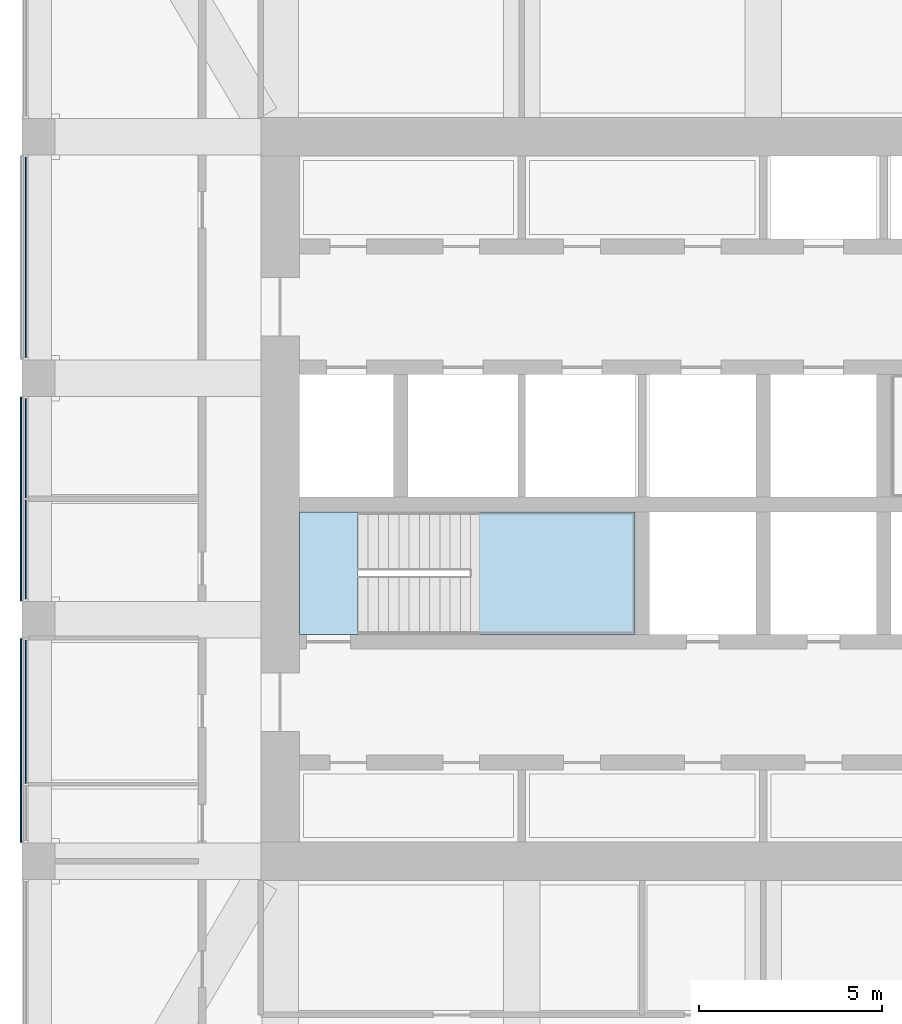
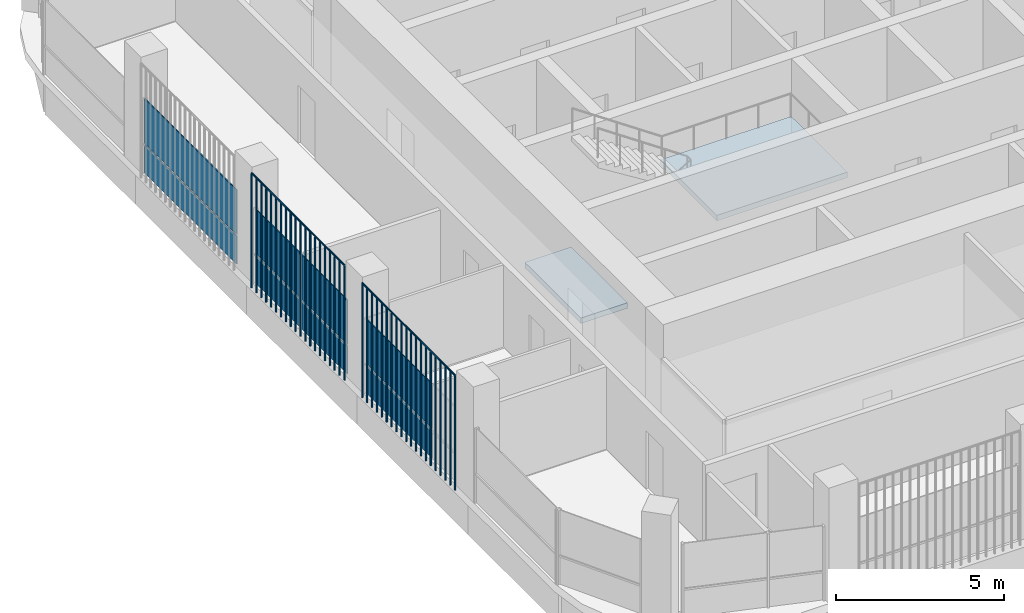
# One storey, part 9 of 21: 10 plates, 2 slabs, 4 elements without a shape of their own.
"""IFC4 building model written with IfcOpenShell, lengths in metres."""

from ifc_helpers import new_model, si_unit, direction, frame, origin, origin_2d, place, context, subcontext, project, spatial, polyline, rectangle, outline, extrude, material, layer, layer_set, type_object, element, aggregate, save


model = new_model("IFC4")

# Units and contexts
model_context = context("Model", 3, precision=1e-05, world=origin(), true_north=direction((0.0, 1.0)))
body_context = subcontext(model_context, "Body", "Model", "MODEL_VIEW")
ifc_project = project(units=[si_unit("LENGTHUNIT", "METRE"), si_unit("AREAUNIT", "SQUARE_METRE"), si_unit("VOLUMEUNIT", "CUBIC_METRE"), si_unit("PLANEANGLEUNIT", "RADIAN"), si_unit("MASSUNIT", "GRAM", prefix="KILO")], contexts=[model_context])

# Site, building, storey
site_placement = place(None, origin())
site = spatial("IfcSite", under=ifc_project, at=site_placement, CompositionType="ELEMENT")
building_placement = place(site_placement, origin())
building = spatial("IfcBuilding", under=site, at=building_placement, Name="Cobogo Forest Laboratory Tower", CompositionType="ELEMENT")
storey_placement = place(building_placement, frame((0.0, 0.0, 275.39990234375)))
storey = spatial("IfcBuildingStorey", under=building, at=storey_placement, Name="L63", CompositionType="ELEMENT", Elevation=275.39990234375)

# Curtain wall, plates
ifc_material_1 = material(Name="Aluminium curtain wall", Category="aluminium")
curtain_wall_type = type_object("IfcCurtainWallType", Name="CW-2 unitised curtain wall, solar control glazing, laboratory floors zones C and D", PredefinedType="USERDEFINED", material=ifc_material_1)
curtain_wall_1_placement = place(storey_placement, origin())
curtain_wall_1 = element("IfcCurtainWall", 1, at=curtain_wall_1_placement, inside=storey, type_object=curtain_wall_type, Name="Curtain wall 21 L63", ObjectType="UNITISED CURTAIN WALL", PredefinedType="USERDEFINED")
ifc_material_2 = material(Name="Solar control insulated glass", Category="glass")
ifc_layer_1 = layer(ifc_material_2, 0.031982421875)
ifc_layer_set_1 = layer_set([ifc_layer_1], Name="GP-2 solar control glass unit 32")
plate_type_1 = type_object("IfcPlateType", Name="GP-2 solar control glass unit 32", PredefinedType="CURTAIN_PANEL", material=ifc_layer_set_1)
plate_1_placement = place(storey_placement, frame((6.25, 29.699951171875, 0.0), z_axis=(0.0, 0.0, 1.0), x_axis=(0.0, -1.0, 0.0)))
plate_1 = element("IfcPlate", 2, at=plate_1_placement, type_object=plate_type_1, Name="CW-2 panel 1.1", PredefinedType="CURTAIN_PANEL", context=body_context, shape_type="SweptSolid", body=[
    extrude(rectangle(XDim=5.47998046875, YDim=0.031982421875, at=origin_2d()), origin(), (0.0, 0.0, 1.0), 1.02001953125),
])
plate_2_placement = place(storey_placement, frame((6.25, 29.699951171875, 1.080078125), z_axis=(0.0, 0.0, 1.0), x_axis=(0.0, -1.0, 0.0)))
plate_2 = element("IfcPlate", 3, at=plate_2_placement, type_object=plate_type_1, Name="CW-2 panel 1.2", PredefinedType="CURTAIN_PANEL", context=body_context, shape_type="SweptSolid", body=[
    extrude(rectangle(XDim=5.47998046875, YDim=0.031982421875, at=origin_2d()), origin(), (0.0, 0.0, 1.0), 1.6201171875),
])
aggregate(curtain_wall_1, [plate_1, plate_2])

curtain_wall_2_placement = place(storey_placement, origin())
curtain_wall_2 = element("IfcCurtainWall", 4, at=curtain_wall_2_placement, inside=storey, type_object=curtain_wall_type, Name="Curtain wall 22 L63", ObjectType="UNITISED CURTAIN WALL", PredefinedType="USERDEFINED")
plate_3_placement = place(storey_placement, frame((6.25, 24.485107421875, 0.0), z_axis=(0.0, 0.0, 1.0), x_axis=(0.0, -1.0, 0.0)))
plate_3 = element("IfcPlate", 5, at=plate_3_placement, type_object=plate_type_1, Name="CW-2 panel 1.1", PredefinedType="CURTAIN_PANEL", context=body_context, shape_type="SweptSolid", body=[
    extrude(rectangle(XDim=2.7099609375, YDim=0.031982421875, at=origin_2d()), origin(), (0.0, 0.0, 1.0), 1.02001953125),
])
plate_4_placement = place(storey_placement, frame((6.25, 24.485107421875, 1.080078125), z_axis=(0.0, 0.0, 1.0), x_axis=(0.0, -1.0, 0.0)))
plate_4 = element("IfcPlate", 6, at=plate_4_placement, type_object=plate_type_1, Name="CW-2 panel 1.2", PredefinedType="CURTAIN_PANEL", context=body_context, shape_type="SweptSolid", body=[
    extrude(rectangle(XDim=2.7099609375, YDim=0.031982421875, at=origin_2d()), origin(), (0.0, 0.0, 1.0), 1.6201171875),
])
plate_5_placement = place(storey_placement, frame((6.25, 21.715087890625, 0.0), z_axis=(0.0, 0.0, 1.0), x_axis=(0.0, -1.0, 0.0)))
plate_5 = element("IfcPlate", 7, at=plate_5_placement, type_object=plate_type_1, Name="CW-2 panel 2.1", PredefinedType="CURTAIN_PANEL", context=body_context, shape_type="SweptSolid", body=[
    extrude(rectangle(XDim=2.7099609375, YDim=0.031982421875, at=origin_2d()), origin(), (0.0, 0.0, 1.0), 1.02001953125),
])
plate_6_placement = place(storey_placement, frame((6.25, 21.715087890625, 1.080078125), z_axis=(0.0, 0.0, 1.0), x_axis=(0.0, -1.0, 0.0)))
plate_6 = element("IfcPlate", 8, at=plate_6_placement, type_object=plate_type_1, Name="CW-2 panel 2.2", PredefinedType="CURTAIN_PANEL", context=body_context, shape_type="SweptSolid", body=[
    extrude(rectangle(XDim=2.7099609375, YDim=0.031982421875, at=origin_2d()), origin(), (0.0, 0.0, 1.0), 1.6201171875),
])
aggregate(curtain_wall_2, [plate_3, plate_4, plate_5, plate_6])

curtain_wall_3_placement = place(storey_placement, origin())
curtain_wall_3 = element("IfcCurtainWall", 9, at=curtain_wall_3_placement, inside=storey, type_object=curtain_wall_type, Name="Curtain wall 23 L63", ObjectType="UNITISED CURTAIN WALL", PredefinedType="USERDEFINED")
plate_7_placement = place(storey_placement, frame((6.25, 17.284912109375, 0.0), z_axis=(0.0, 0.0, 1.0), x_axis=(0.0, -1.0, 0.0)))
plate_7 = element("IfcPlate", 10, at=plate_7_placement, type_object=plate_type_1, Name="CW-2 panel 1.1", PredefinedType="CURTAIN_PANEL", context=body_context, shape_type="SweptSolid", body=[
    extrude(rectangle(XDim=3.909912109375, YDim=0.031982421875, at=origin_2d()), origin(), (0.0, 0.0, 1.0), 1.02001953125),
])
plate_8_placement = place(storey_placement, frame((6.25, 17.284912109375, 1.080078125), z_axis=(0.0, 0.0, 1.0), x_axis=(0.0, -1.0, 0.0)))
plate_8 = element("IfcPlate", 11, at=plate_8_placement, type_object=plate_type_1, Name="CW-2 panel 1.2", PredefinedType="CURTAIN_PANEL", context=body_context, shape_type="SweptSolid", body=[
    extrude(rectangle(XDim=3.909912109375, YDim=0.031982421875, at=origin_2d()), origin(), (0.0, 0.0, 1.0), 1.6201171875),
])
aggregate(curtain_wall_3, [plate_7, plate_8])

# Stair, slabs
ifc_material_3 = material(Name="Precast concrete HA-40 (C40/50)", Category="concrete")
stair_type = type_object("IfcStairType", Name="ST24 exit stair 24 risers", PredefinedType="HALF_TURN_STAIR", material=ifc_material_3)
stair_placement = place(storey_placement, origin())
stair = element("IfcStair", 12, at=stair_placement, inside=storey, type_object=stair_type, Name="Stair 1 L63 to L64", PredefinedType="HALF_TURN_STAIR")
ifc_material_4 = material(Name="Concrete HA-40 (C40/50)", Category="concrete")
ifc_layer_2 = layer(ifc_material_4, 0.199951171875)
ifc_layer_set_2 = layer_set([ifc_layer_2], Name="SL stair landing 200")
slab_type = type_object("IfcSlabType", Name="SL stair landing 200", PredefinedType="LANDING", material=ifc_layer_set_2)
slab_1_placement = place(storey_placement, frame((0.0, 0.0, -0.199951171875)))
slab_1 = element("IfcSlab", 13, at=slab_1_placement, type_object=slab_type, Name="ST1 landing 1", PredefinedType="LANDING", context=body_context, shape_type="SweptSolid", body=[
    extrude(outline(polyline([(13.72509765625, 19.39990234375), (15.326904296875, 19.39990234375), (15.326904296875, 22.75), (13.72509765625, 22.75), (13.72509765625, 19.39990234375)])), origin(), (0.0, 0.0, 1.0), 0.199951171875),
])
slab_2_placement = place(storey_placement, frame((0.0, 0.0, 1.900146484375)))
slab_2 = element("IfcSlab", 14, at=slab_2_placement, type_object=slab_type, Name="ST1 landing 2", PredefinedType="LANDING", context=body_context, shape_type="SweptSolid", body=[
    extrude(outline(polyline([(18.403076171875, 19.39990234375), (22.89990234375, 19.39990234375), (22.89990234375, 22.75), (18.403076171875, 22.75), (18.403076171875, 19.39990234375)])), origin(), (0.0, 0.0, 1.0), 0.199951171875),
])
aggregate(stair, [slab_1, slab_2])

# Plates
ifc_material_5 = material(Name="Terracotta", Category="masonry")
plate_type_2 = type_object("IfcPlateType", Name="TB1 terracotta baguette screen", PredefinedType="USERDEFINED", material=ifc_material_5)
plate_9_placement = place(storey_placement, frame((6.1220703125, 13.731201171875, -0.14990234375)))
element("IfcPlate", 15, at=plate_9_placement, inside=storey, type_object=plate_type_2, Name="Baguette screen W1 L63", ObjectType="BAGUETTE SCREEN", PredefinedType="USERDEFINED", context=body_context, shape_type="SweptSolid", body=[
    extrude(outline(polyline([(0.02880859375, 0.011962890625), (0.011962890625, 0.02880859375), (-0.011962890625, 0.02880859375), (-0.02880859375, 0.011962890625), (-0.02880859375, -0.011962890625), (-0.011962890625, -0.02880859375), (0.011962890625, -0.02880859375), (0.02880859375, -0.011962890625), (0.02880859375, 0.011962890625)])), frame((0.0, 0.0, 4.168701171875), z_axis=(0.0, 1.0, 0.0), x_axis=(-1.0, 0.0, 0.0)), (0.0, 0.0, 1.0), 5.53759765625),
    extrude(outline(polyline([(0.02880859375, 0.011962890625), (0.011962890625, 0.02880859375), (-0.011962890625, 0.02880859375), (-0.02880859375, 0.011962890625), (-0.02880859375, -0.011962890625), (-0.011962890625, -0.02880859375), (0.011962890625, -0.02880859375), (0.02880859375, -0.011962890625), (0.02880859375, 0.011962890625)])), origin(), (0.0, 0.0, 1.0), 4.137451171875),
    extrude(outline(polyline([(0.02880859375, 0.011962890625), (0.011962890625, 0.02880859375), (-0.011962890625, 0.02880859375), (-0.02880859375, 0.011962890625), (-0.02880859375, -0.011962890625), (-0.011962890625, -0.02880859375), (0.011962890625, -0.02880859375), (0.02880859375, -0.011962890625), (0.02880859375, 0.011962890625)])), frame((0.0, 0.29150390625, 0.0)), (0.0, 0.0, 1.0), 4.137451171875),
    extrude(outline(polyline([(0.02880859375, 0.011962890625), (0.011962890625, 0.02880859375), (-0.011962890625, 0.02880859375), (-0.02880859375, 0.011962890625), (-0.02880859375, -0.011962890625), (-0.011962890625, -0.02880859375), (0.011962890625, -0.02880859375), (0.02880859375, -0.011962890625), (0.02880859375, 0.011962890625)])), frame((0.0, 0.5830078125, 0.0)), (0.0, 0.0, 1.0), 4.137451171875),
    extrude(outline(polyline([(0.02880859375, 0.011962890625), (0.011962890625, 0.02880859375), (-0.011962890625, 0.02880859375), (-0.02880859375, 0.011962890625), (-0.02880859375, -0.011962890625), (-0.011962890625, -0.02880859375), (0.011962890625, -0.02880859375), (0.02880859375, -0.011962890625), (0.02880859375, 0.011962890625)])), frame((0.0, 0.874267578125, 0.0)), (0.0, 0.0, 1.0), 4.137451171875),
    extrude(outline(polyline([(0.02880859375, 0.011962890625), (0.011962890625, 0.02880859375), (-0.011962890625, 0.02880859375), (-0.02880859375, 0.011962890625), (-0.02880859375, -0.011962890625), (-0.011962890625, -0.02880859375), (0.011962890625, -0.02880859375), (0.02880859375, -0.011962890625), (0.02880859375, 0.011962890625)])), frame((0.0, 1.165771484375, 0.0)), (0.0, 0.0, 1.0), 4.137451171875),
    extrude(outline(polyline([(0.02880859375, 0.011962890625), (0.011962890625, 0.02880859375), (-0.011962890625, 0.02880859375), (-0.02880859375, 0.011962890625), (-0.02880859375, -0.011962890625), (-0.011962890625, -0.02880859375), (0.011962890625, -0.02880859375), (0.02880859375, -0.011962890625), (0.02880859375, 0.011962890625)])), frame((0.0, 1.457275390625, 0.0)), (0.0, 0.0, 1.0), 4.137451171875),
    extrude(outline(polyline([(0.02880859375, 0.011962890625), (0.011962890625, 0.02880859375), (-0.011962890625, 0.02880859375), (-0.02880859375, 0.011962890625), (-0.02880859375, -0.011962890625), (-0.011962890625, -0.02880859375), (0.011962890625, -0.02880859375), (0.02880859375, -0.011962890625), (0.02880859375, 0.011962890625)])), frame((0.0, 1.748779296875, 0.0)), (0.0, 0.0, 1.0), 4.137451171875),
    extrude(outline(polyline([(0.02880859375, 0.011962890625), (0.011962890625, 0.02880859375), (-0.011962890625, 0.02880859375), (-0.02880859375, 0.011962890625), (-0.02880859375, -0.011962890625), (-0.011962890625, -0.02880859375), (0.011962890625, -0.02880859375), (0.02880859375, -0.011962890625), (0.02880859375, 0.011962890625)])), frame((0.0, 2.040283203125, 0.0)), (0.0, 0.0, 1.0), 4.137451171875),
    extrude(outline(polyline([(0.02880859375, 0.011962890625), (0.011962890625, 0.02880859375), (-0.011962890625, 0.02880859375), (-0.02880859375, 0.011962890625), (-0.02880859375, -0.011962890625), (-0.011962890625, -0.02880859375), (0.011962890625, -0.02880859375), (0.02880859375, -0.011962890625), (0.02880859375, 0.011962890625)])), frame((0.0, 2.33154296875, 0.0)), (0.0, 0.0, 1.0), 4.137451171875),
    extrude(outline(polyline([(0.02880859375, 0.011962890625), (0.011962890625, 0.02880859375), (-0.011962890625, 0.02880859375), (-0.02880859375, 0.011962890625), (-0.02880859375, -0.011962890625), (-0.011962890625, -0.02880859375), (0.011962890625, -0.02880859375), (0.02880859375, -0.011962890625), (0.02880859375, 0.011962890625)])), frame((0.0, 2.623046875, 0.0)), (0.0, 0.0, 1.0), 4.137451171875),
    extrude(outline(polyline([(0.02880859375, 0.011962890625), (0.011962890625, 0.02880859375), (-0.011962890625, 0.02880859375), (-0.02880859375, 0.011962890625), (-0.02880859375, -0.011962890625), (-0.011962890625, -0.02880859375), (0.011962890625, -0.02880859375), (0.02880859375, -0.011962890625), (0.02880859375, 0.011962890625)])), frame((0.0, 2.91455078125, 0.0)), (0.0, 0.0, 1.0), 4.137451171875),
    extrude(outline(polyline([(0.02880859375, 0.011962890625), (0.011962890625, 0.02880859375), (-0.011962890625, 0.02880859375), (-0.02880859375, 0.011962890625), (-0.02880859375, -0.011962890625), (-0.011962890625, -0.02880859375), (0.011962890625, -0.02880859375), (0.02880859375, -0.011962890625), (0.02880859375, 0.011962890625)])), frame((0.0, 3.2060546875, 0.0)), (0.0, 0.0, 1.0), 4.137451171875),
    extrude(outline(polyline([(0.02880859375, 0.011962890625), (0.011962890625, 0.02880859375), (-0.011962890625, 0.02880859375), (-0.02880859375, 0.011962890625), (-0.02880859375, -0.011962890625), (-0.011962890625, -0.02880859375), (0.011962890625, -0.02880859375), (0.02880859375, -0.011962890625), (0.02880859375, 0.011962890625)])), frame((0.0, 3.497314453125, 0.0)), (0.0, 0.0, 1.0), 4.137451171875),
    extrude(outline(polyline([(0.02880859375, 0.011962890625), (0.011962890625, 0.02880859375), (-0.011962890625, 0.02880859375), (-0.02880859375, 0.011962890625), (-0.02880859375, -0.011962890625), (-0.011962890625, -0.02880859375), (0.011962890625, -0.02880859375), (0.02880859375, -0.011962890625), (0.02880859375, 0.011962890625)])), frame((0.0, 3.788818359375, 0.0)), (0.0, 0.0, 1.0), 4.137451171875),
    extrude(outline(polyline([(0.02880859375, 0.011962890625), (0.011962890625, 0.02880859375), (-0.011962890625, 0.02880859375), (-0.02880859375, 0.011962890625), (-0.02880859375, -0.011962890625), (-0.011962890625, -0.02880859375), (0.011962890625, -0.02880859375), (0.02880859375, -0.011962890625), (0.02880859375, 0.011962890625)])), frame((0.0, 4.080322265625, 0.0)), (0.0, 0.0, 1.0), 4.137451171875),
    extrude(outline(polyline([(0.02880859375, 0.011962890625), (0.011962890625, 0.02880859375), (-0.011962890625, 0.02880859375), (-0.02880859375, 0.011962890625), (-0.02880859375, -0.011962890625), (-0.011962890625, -0.02880859375), (0.011962890625, -0.02880859375), (0.02880859375, -0.011962890625), (0.02880859375, 0.011962890625)])), frame((0.0, 4.371826171875, 0.0)), (0.0, 0.0, 1.0), 4.137451171875),
    extrude(outline(polyline([(0.02880859375, 0.011962890625), (0.011962890625, 0.02880859375), (-0.011962890625, 0.02880859375), (-0.02880859375, 0.011962890625), (-0.02880859375, -0.011962890625), (-0.011962890625, -0.02880859375), (0.011962890625, -0.02880859375), (0.02880859375, -0.011962890625), (0.02880859375, 0.011962890625)])), frame((0.0, 4.663330078125, 0.0)), (0.0, 0.0, 1.0), 4.137451171875),
    extrude(outline(polyline([(0.02880859375, 0.011962890625), (0.011962890625, 0.02880859375), (-0.011962890625, 0.02880859375), (-0.02880859375, 0.011962890625), (-0.02880859375, -0.011962890625), (-0.011962890625, -0.02880859375), (0.011962890625, -0.02880859375), (0.02880859375, -0.011962890625), (0.02880859375, 0.011962890625)])), frame((0.0, 4.95458984375, 0.0)), (0.0, 0.0, 1.0), 4.137451171875),
    extrude(outline(polyline([(0.02880859375, 0.011962890625), (0.011962890625, 0.02880859375), (-0.011962890625, 0.02880859375), (-0.02880859375, 0.011962890625), (-0.02880859375, -0.011962890625), (-0.011962890625, -0.02880859375), (0.011962890625, -0.02880859375), (0.02880859375, -0.011962890625), (0.02880859375, 0.011962890625)])), frame((0.0, 5.24609375, 0.0)), (0.0, 0.0, 1.0), 4.137451171875),
    extrude(outline(polyline([(0.02880859375, 0.011962890625), (0.011962890625, 0.02880859375), (-0.011962890625, 0.02880859375), (-0.02880859375, 0.011962890625), (-0.02880859375, -0.011962890625), (-0.011962890625, -0.02880859375), (0.011962890625, -0.02880859375), (0.02880859375, -0.011962890625), (0.02880859375, 0.011962890625)])), frame((0.0, 5.53759765625, 0.0)), (0.0, 0.0, 1.0), 4.137451171875),
])
plate_10_placement = place(storey_placement, frame((6.1220703125, 20.331298828125, -0.14990234375)))
element("IfcPlate", 16, at=plate_10_placement, inside=storey, type_object=plate_type_2, Name="Baguette screen W2 L63", ObjectType="BAGUETTE SCREEN", PredefinedType="USERDEFINED", context=body_context, shape_type="SweptSolid", body=[
    extrude(outline(polyline([(0.02880859375, 0.011962890625), (0.011962890625, 0.02880859375), (-0.011962890625, 0.02880859375), (-0.02880859375, 0.011962890625), (-0.02880859375, -0.011962890625), (-0.011962890625, -0.02880859375), (0.011962890625, -0.02880859375), (0.02880859375, -0.011962890625), (0.02880859375, 0.011962890625)])), frame((0.0, 0.0, 4.168701171875), z_axis=(0.0, 1.0, 0.0), x_axis=(-1.0, 0.0, 0.0)), (0.0, 0.0, 1.0), 5.537353515625),
    extrude(outline(polyline([(0.02880859375, 0.011962890625), (0.011962890625, 0.02880859375), (-0.011962890625, 0.02880859375), (-0.02880859375, 0.011962890625), (-0.02880859375, -0.011962890625), (-0.011962890625, -0.02880859375), (0.011962890625, -0.02880859375), (0.02880859375, -0.011962890625), (0.02880859375, 0.011962890625)])), origin(), (0.0, 0.0, 1.0), 4.137451171875),
    extrude(outline(polyline([(0.02880859375, 0.011962890625), (0.011962890625, 0.02880859375), (-0.011962890625, 0.02880859375), (-0.02880859375, 0.011962890625), (-0.02880859375, -0.011962890625), (-0.011962890625, -0.02880859375), (0.011962890625, -0.02880859375), (0.02880859375, -0.011962890625), (0.02880859375, 0.011962890625)])), frame((0.0, 0.29150390625, 0.0)), (0.0, 0.0, 1.0), 4.137451171875),
    extrude(outline(polyline([(0.02880859375, 0.011962890625), (0.011962890625, 0.02880859375), (-0.011962890625, 0.02880859375), (-0.02880859375, 0.011962890625), (-0.02880859375, -0.011962890625), (-0.011962890625, -0.02880859375), (0.011962890625, -0.02880859375), (0.02880859375, -0.011962890625), (0.02880859375, 0.011962890625)])), frame((0.0, 0.582763671875, 0.0)), (0.0, 0.0, 1.0), 4.137451171875),
    extrude(outline(polyline([(0.02880859375, 0.011962890625), (0.011962890625, 0.02880859375), (-0.011962890625, 0.02880859375), (-0.02880859375, 0.011962890625), (-0.02880859375, -0.011962890625), (-0.011962890625, -0.02880859375), (0.011962890625, -0.02880859375), (0.02880859375, -0.011962890625), (0.02880859375, 0.011962890625)])), frame((0.0, 0.874267578125, 0.0)), (0.0, 0.0, 1.0), 4.137451171875),
    extrude(outline(polyline([(0.02880859375, 0.011962890625), (0.011962890625, 0.02880859375), (-0.011962890625, 0.02880859375), (-0.02880859375, 0.011962890625), (-0.02880859375, -0.011962890625), (-0.011962890625, -0.02880859375), (0.011962890625, -0.02880859375), (0.02880859375, -0.011962890625), (0.02880859375, 0.011962890625)])), frame((0.0, 1.165771484375, 0.0)), (0.0, 0.0, 1.0), 4.137451171875),
    extrude(outline(polyline([(0.02880859375, 0.011962890625), (0.011962890625, 0.02880859375), (-0.011962890625, 0.02880859375), (-0.02880859375, 0.011962890625), (-0.02880859375, -0.011962890625), (-0.011962890625, -0.02880859375), (0.011962890625, -0.02880859375), (0.02880859375, -0.011962890625), (0.02880859375, 0.011962890625)])), frame((0.0, 1.457275390625, 0.0)), (0.0, 0.0, 1.0), 4.137451171875),
    extrude(outline(polyline([(0.02880859375, 0.011962890625), (0.011962890625, 0.02880859375), (-0.011962890625, 0.02880859375), (-0.02880859375, 0.011962890625), (-0.02880859375, -0.011962890625), (-0.011962890625, -0.02880859375), (0.011962890625, -0.02880859375), (0.02880859375, -0.011962890625), (0.02880859375, 0.011962890625)])), frame((0.0, 1.74853515625, 0.0)), (0.0, 0.0, 1.0), 4.137451171875),
    extrude(outline(polyline([(0.02880859375, 0.011962890625), (0.011962890625, 0.02880859375), (-0.011962890625, 0.02880859375), (-0.02880859375, 0.011962890625), (-0.02880859375, -0.011962890625), (-0.011962890625, -0.02880859375), (0.011962890625, -0.02880859375), (0.02880859375, -0.011962890625), (0.02880859375, 0.011962890625)])), frame((0.0, 2.0400390625, 0.0)), (0.0, 0.0, 1.0), 4.137451171875),
    extrude(outline(polyline([(0.02880859375, 0.011962890625), (0.011962890625, 0.02880859375), (-0.011962890625, 0.02880859375), (-0.02880859375, 0.011962890625), (-0.02880859375, -0.011962890625), (-0.011962890625, -0.02880859375), (0.011962890625, -0.02880859375), (0.02880859375, -0.011962890625), (0.02880859375, 0.011962890625)])), frame((0.0, 2.33154296875, 0.0)), (0.0, 0.0, 1.0), 4.137451171875),
    extrude(outline(polyline([(0.02880859375, 0.011962890625), (0.011962890625, 0.02880859375), (-0.011962890625, 0.02880859375), (-0.02880859375, 0.011962890625), (-0.02880859375, -0.011962890625), (-0.011962890625, -0.02880859375), (0.011962890625, -0.02880859375), (0.02880859375, -0.011962890625), (0.02880859375, 0.011962890625)])), frame((0.0, 2.623046875, 0.0)), (0.0, 0.0, 1.0), 4.137451171875),
    extrude(outline(polyline([(0.02880859375, 0.011962890625), (0.011962890625, 0.02880859375), (-0.011962890625, 0.02880859375), (-0.02880859375, 0.011962890625), (-0.02880859375, -0.011962890625), (-0.011962890625, -0.02880859375), (0.011962890625, -0.02880859375), (0.02880859375, -0.011962890625), (0.02880859375, 0.011962890625)])), frame((0.0, 2.914306640625, 0.0)), (0.0, 0.0, 1.0), 4.137451171875),
    extrude(outline(polyline([(0.02880859375, 0.011962890625), (0.011962890625, 0.02880859375), (-0.011962890625, 0.02880859375), (-0.02880859375, 0.011962890625), (-0.02880859375, -0.011962890625), (-0.011962890625, -0.02880859375), (0.011962890625, -0.02880859375), (0.02880859375, -0.011962890625), (0.02880859375, 0.011962890625)])), frame((0.0, 3.205810546875, 0.0)), (0.0, 0.0, 1.0), 4.137451171875),
    extrude(outline(polyline([(0.02880859375, 0.011962890625), (0.011962890625, 0.02880859375), (-0.011962890625, 0.02880859375), (-0.02880859375, 0.011962890625), (-0.02880859375, -0.011962890625), (-0.011962890625, -0.02880859375), (0.011962890625, -0.02880859375), (0.02880859375, -0.011962890625), (0.02880859375, 0.011962890625)])), frame((0.0, 3.497314453125, 0.0)), (0.0, 0.0, 1.0), 4.137451171875),
    extrude(outline(polyline([(0.02880859375, 0.011962890625), (0.011962890625, 0.02880859375), (-0.011962890625, 0.02880859375), (-0.02880859375, 0.011962890625), (-0.02880859375, -0.011962890625), (-0.011962890625, -0.02880859375), (0.011962890625, -0.02880859375), (0.02880859375, -0.011962890625), (0.02880859375, 0.011962890625)])), frame((0.0, 3.788818359375, 0.0)), (0.0, 0.0, 1.0), 4.137451171875),
    extrude(outline(polyline([(0.02880859375, 0.011962890625), (0.011962890625, 0.02880859375), (-0.011962890625, 0.02880859375), (-0.02880859375, 0.011962890625), (-0.02880859375, -0.011962890625), (-0.011962890625, -0.02880859375), (0.011962890625, -0.02880859375), (0.02880859375, -0.011962890625), (0.02880859375, 0.011962890625)])), frame((0.0, 4.080078125, 0.0)), (0.0, 0.0, 1.0), 4.137451171875),
    extrude(outline(polyline([(0.02880859375, 0.011962890625), (0.011962890625, 0.02880859375), (-0.011962890625, 0.02880859375), (-0.02880859375, 0.011962890625), (-0.02880859375, -0.011962890625), (-0.011962890625, -0.02880859375), (0.011962890625, -0.02880859375), (0.02880859375, -0.011962890625), (0.02880859375, 0.011962890625)])), frame((0.0, 4.37158203125, 0.0)), (0.0, 0.0, 1.0), 4.137451171875),
    extrude(outline(polyline([(0.02880859375, 0.011962890625), (0.011962890625, 0.02880859375), (-0.011962890625, 0.02880859375), (-0.02880859375, 0.011962890625), (-0.02880859375, -0.011962890625), (-0.011962890625, -0.02880859375), (0.011962890625, -0.02880859375), (0.02880859375, -0.011962890625), (0.02880859375, 0.011962890625)])), frame((0.0, 4.6630859375, 0.0)), (0.0, 0.0, 1.0), 4.137451171875),
    extrude(outline(polyline([(0.02880859375, 0.011962890625), (0.011962890625, 0.02880859375), (-0.011962890625, 0.02880859375), (-0.02880859375, 0.011962890625), (-0.02880859375, -0.011962890625), (-0.011962890625, -0.02880859375), (0.011962890625, -0.02880859375), (0.02880859375, -0.011962890625), (0.02880859375, 0.011962890625)])), frame((0.0, 4.95458984375, 0.0)), (0.0, 0.0, 1.0), 4.137451171875),
    extrude(outline(polyline([(0.02880859375, 0.011962890625), (0.011962890625, 0.02880859375), (-0.011962890625, 0.02880859375), (-0.02880859375, 0.011962890625), (-0.02880859375, -0.011962890625), (-0.011962890625, -0.02880859375), (0.011962890625, -0.02880859375), (0.02880859375, -0.011962890625), (0.02880859375, 0.011962890625)])), frame((0.0, 5.245849609375, 0.0)), (0.0, 0.0, 1.0), 4.137451171875),
    extrude(outline(polyline([(0.02880859375, 0.011962890625), (0.011962890625, 0.02880859375), (-0.011962890625, 0.02880859375), (-0.02880859375, 0.011962890625), (-0.02880859375, -0.011962890625), (-0.011962890625, -0.02880859375), (0.011962890625, -0.02880859375), (0.02880859375, -0.011962890625), (0.02880859375, 0.011962890625)])), frame((0.0, 5.537353515625, 0.0)), (0.0, 0.0, 1.0), 4.137451171875),
])

save(model, "model.ifc")
